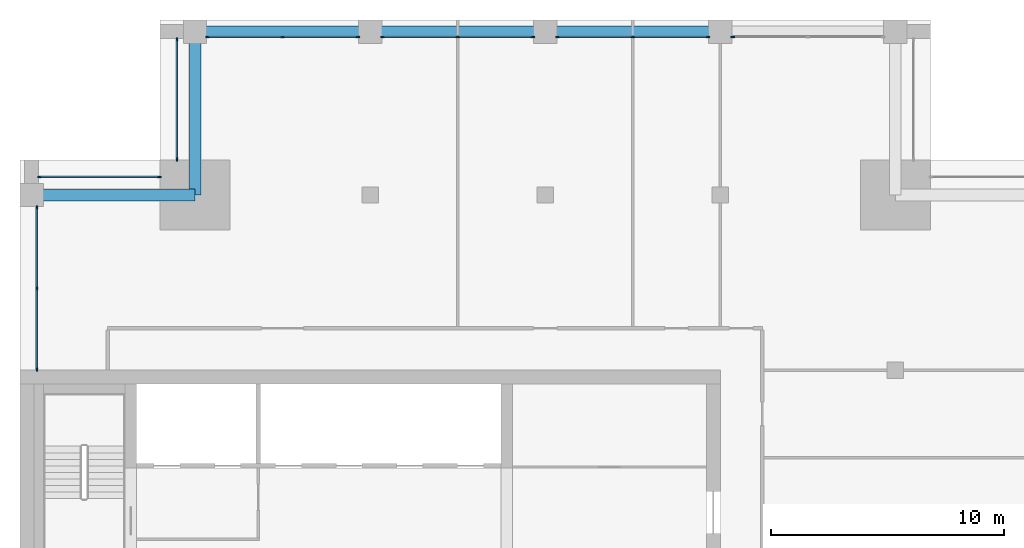
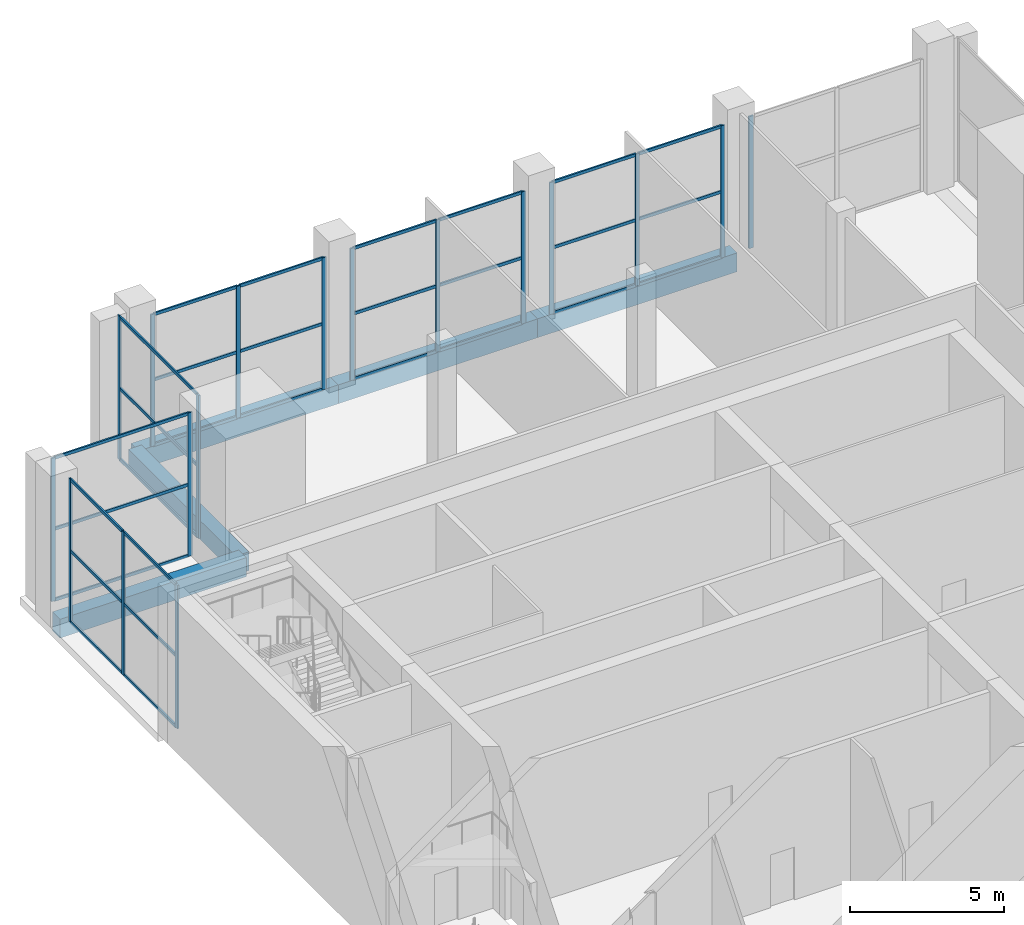
# One storey, part 5 of 15: 47 members, 5 beams, 7 elements without a shape of their own.
"""IFC4 building model written with IfcOpenShell, lengths in metres."""

from ifc_helpers import new_model, si_unit, direction, frame, origin, origin_2d, place, context, subcontext, project, spatial, rectangle, extrude, material, layer, layer_set, material_profile, profile_set, type_object, element, aggregate, save


model = new_model("IFC4")

# Units and contexts
model_context = context("Model", 3, precision=1e-05, world=origin(), true_north=direction((0.0, 1.0)))
body_context = subcontext(model_context, "Body", "Model", "MODEL_VIEW")
ifc_project = project(units=[si_unit("LENGTHUNIT", "METRE"), si_unit("AREAUNIT", "SQUARE_METRE"), si_unit("VOLUMEUNIT", "CUBIC_METRE"), si_unit("PLANEANGLEUNIT", "RADIAN"), si_unit("MASSUNIT", "GRAM", prefix="KILO")], contexts=[model_context])

# Site, building, storey
site_placement = place(None, origin())
site = spatial("IfcSite", under=ifc_project, at=site_placement, CompositionType="ELEMENT")
building_placement = place(site_placement, origin())
building = spatial("IfcBuilding", under=site, at=building_placement, Name="Tamorin Gate", CompositionType="ELEMENT")
storey_placement = place(building_placement, frame((0.0, 0.0, 302.699951171875)))
storey = spatial("IfcBuildingStorey", under=building, at=storey_placement, Name="L75", CompositionType="ELEMENT", Elevation=302.699951171875)

# Curtain wall, member
ifc_material_1 = material(Name="Aluminium mullions and transoms with clear glass", Category="aluminium")
ifc_layer = layer(ifc_material_1, 0.159912109375)
ifc_layer_set = layer_set([ifc_layer], Name="Curtain wall system CW4")
curtain_wall_type = type_object("IfcCurtainWallType", Name="Curtain wall system CW4", PredefinedType="NOTDEFINED", material=ifc_layer_set)
curtain_wall_1_placement = place(storey_placement, origin())
curtain_wall_1 = element("IfcCurtainWall", 1, at=curtain_wall_1_placement, inside=storey, type_object=curtain_wall_type, Name="Curtain wall", PredefinedType="NOTDEFINED")
ifc_material_2 = material(Name="Aluminium", Category="aluminium")
ifc_material_profile_1 = material_profile(ifc_material_2, rectangle(XDim=0.06005859375, YDim=0.159912109375, at=origin_2d()), Name="RECT 60x160")
ifc_profile_set_1 = profile_set([ifc_material_profile_1], Name="Aluminium")
member_type_1 = type_object("IfcMemberType", Name="Aluminium mullion 60x160", PredefinedType="MULLION", material=ifc_profile_set_1)
member_1_placement = place(storey_placement, frame((60.530029296875, 96.780029296875, 0.0), z_axis=(0.0, 0.0, 1.0), x_axis=(0.0, -1.0, 0.0)))
member_1 = element("IfcMember", 2, at=member_1_placement, type_object=member_type_1, Name="CW4 mullion 3", PredefinedType="MULLION", context=body_context, shape_type="SweptSolid", body=[
    extrude(rectangle(XDim=0.06005859375, YDim=0.159912109375, at=origin_2d()), origin(), (0.0, 0.0, 1.0), 5.25),
])
aggregate(curtain_wall_1, [member_1])

# Curtain wall, members
curtain_wall_2_placement = place(storey_placement, origin())
curtain_wall_2 = element("IfcCurtainWall", 3, at=curtain_wall_2_placement, inside=storey, type_object=curtain_wall_type, Name="Curtain wall", PredefinedType="NOTDEFINED")
member_2_placement = place(storey_placement, frame((59.469970703125, 96.780029296875, 0.0), z_axis=(0.0, 0.0, 1.0), x_axis=(0.0, -1.0, 0.0)))
member_2 = element("IfcMember", 4, at=member_2_placement, type_object=member_type_1, Name="CW4 mullion 1", PredefinedType="MULLION", context=body_context, shape_type="SweptSolid", body=[
    extrude(rectangle(XDim=0.06005859375, YDim=0.159912109375, at=origin_2d()), origin(), (0.0, 0.0, 1.0), 5.25),
])
member_3_placement = place(storey_placement, frame((56.25, 96.780029296875, 0.0), z_axis=(0.0, 0.0, 1.0), x_axis=(0.0, -1.0, 0.0)))
member_3 = element("IfcMember", 5, at=member_3_placement, type_object=member_type_1, Name="CW4 mullion 2", PredefinedType="MULLION", context=body_context, shape_type="SweptSolid", body=[
    extrude(rectangle(XDim=0.06005859375, YDim=0.159912109375, at=origin_2d()), origin(), (0.0, 0.0, 1.0), 5.25),
])
member_4_placement = place(storey_placement, frame((53.030029296875, 96.780029296875, 0.0), z_axis=(0.0, 0.0, 1.0), x_axis=(0.0, -1.0, 0.0)))
member_4 = element("IfcMember", 6, at=member_4_placement, type_object=member_type_1, Name="CW4 mullion 3", PredefinedType="MULLION", context=body_context, shape_type="SweptSolid", body=[
    extrude(rectangle(XDim=0.06005859375, YDim=0.159912109375, at=origin_2d()), origin(), (0.0, 0.0, 1.0), 5.25),
])

curtain_wall_3_placement = place(storey_placement, origin())
curtain_wall_3 = element("IfcCurtainWall", 7, at=curtain_wall_3_placement, inside=storey, type_object=curtain_wall_type, Name="Curtain wall", PredefinedType="NOTDEFINED")
member_5_placement = place(storey_placement, frame((51.969970703125, 96.780029296875, 0.0), z_axis=(0.0, 0.0, 1.0), x_axis=(0.0, -1.0, 0.0)))
member_5 = element("IfcMember", 8, at=member_5_placement, type_object=member_type_1, Name="CW4 mullion 1", PredefinedType="MULLION", context=body_context, shape_type="SweptSolid", body=[
    extrude(rectangle(XDim=0.06005859375, YDim=0.159912109375, at=origin_2d()), origin(), (0.0, 0.0, 1.0), 5.25),
])
member_6_placement = place(storey_placement, frame((48.75, 96.780029296875, 0.0), z_axis=(0.0, 0.0, 1.0), x_axis=(0.0, -1.0, 0.0)))
member_6 = element("IfcMember", 9, at=member_6_placement, type_object=member_type_1, Name="CW4 mullion 2", PredefinedType="MULLION", context=body_context, shape_type="SweptSolid", body=[
    extrude(rectangle(XDim=0.06005859375, YDim=0.159912109375, at=origin_2d()), origin(), (0.0, 0.0, 1.0), 5.25),
])
member_7_placement = place(storey_placement, frame((45.530029296875, 96.780029296875, 0.0), z_axis=(0.0, 0.0, 1.0), x_axis=(0.0, -1.0, 0.0)))
member_7 = element("IfcMember", 10, at=member_7_placement, type_object=member_type_1, Name="CW4 mullion 3", PredefinedType="MULLION", context=body_context, shape_type="SweptSolid", body=[
    extrude(rectangle(XDim=0.06005859375, YDim=0.159912109375, at=origin_2d()), origin(), (0.0, 0.0, 1.0), 5.25),
])

curtain_wall_4_placement = place(storey_placement, origin())
curtain_wall_4 = element("IfcCurtainWall", 11, at=curtain_wall_4_placement, inside=storey, type_object=curtain_wall_type, Name="Curtain wall", PredefinedType="NOTDEFINED")
member_8_placement = place(storey_placement, frame((44.469970703125, 96.780029296875, 0.0), z_axis=(0.0, 0.0, 1.0), x_axis=(0.0, -1.0, 0.0)))
member_8 = element("IfcMember", 12, at=member_8_placement, type_object=member_type_1, Name="CW4 mullion 1", PredefinedType="MULLION", context=body_context, shape_type="SweptSolid", body=[
    extrude(rectangle(XDim=0.06005859375, YDim=0.159912109375, at=origin_2d()), origin(), (0.0, 0.0, 1.0), 5.25),
])
member_9_placement = place(storey_placement, frame((41.25, 96.780029296875, 0.0), z_axis=(0.0, 0.0, 1.0), x_axis=(0.0, -1.0, 0.0)))
member_9 = element("IfcMember", 13, at=member_9_placement, type_object=member_type_1, Name="CW4 mullion 2", PredefinedType="MULLION", context=body_context, shape_type="SweptSolid", body=[
    extrude(rectangle(XDim=0.06005859375, YDim=0.159912109375, at=origin_2d()), origin(), (0.0, 0.0, 1.0), 5.25),
])
member_10_placement = place(storey_placement, frame((38.030029296875, 96.780029296875, 0.0), z_axis=(0.0, 0.0, 1.0), x_axis=(0.0, -1.0, 0.0)))
member_10 = element("IfcMember", 14, at=member_10_placement, type_object=member_type_1, Name="CW4 mullion 3", PredefinedType="MULLION", context=body_context, shape_type="SweptSolid", body=[
    extrude(rectangle(XDim=0.06005859375, YDim=0.159912109375, at=origin_2d()), origin(), (0.0, 0.0, 1.0), 5.25),
])

curtain_wall_5_placement = place(storey_placement, origin())
curtain_wall_5 = element("IfcCurtainWall", 15, at=curtain_wall_5_placement, inside=storey, type_object=curtain_wall_type, Name="Curtain wall", PredefinedType="NOTDEFINED")
member_11_placement = place(storey_placement, frame((36.719970703125, 96.669921875, 0.0), z_axis=(0.0, 0.0, 1.0), x_axis=(1.0, 0.0, 0.0)))
member_11 = element("IfcMember", 16, at=member_11_placement, type_object=member_type_1, Name="CW4 mullion 1", PredefinedType="MULLION", context=body_context, shape_type="SweptSolid", body=[
    extrude(rectangle(XDim=0.06005859375, YDim=0.159912109375, at=origin_2d()), origin(), (0.0, 0.0, 1.0), 5.699951171875),
])
member_12_placement = place(storey_placement, frame((36.719970703125, 91.530029296875, 0.0), z_axis=(0.0, 0.0, 1.0), x_axis=(1.0, 0.0, 0.0)))
member_12 = element("IfcMember", 17, at=member_12_placement, type_object=member_type_1, Name="CW4 mullion 2", PredefinedType="MULLION", context=body_context, shape_type="SweptSolid", body=[
    extrude(rectangle(XDim=0.06005859375, YDim=0.159912109375, at=origin_2d()), origin(), (0.0, 0.0, 1.0), 5.699951171875),
])

curtain_wall_6_placement = place(storey_placement, origin())
curtain_wall_6 = element("IfcCurtainWall", 18, at=curtain_wall_6_placement, inside=storey, type_object=curtain_wall_type, Name="Curtain wall", PredefinedType="NOTDEFINED")
member_13_placement = place(storey_placement, frame((35.969970703125, 90.780029296875, 0.0), z_axis=(0.0, 0.0, 1.0), x_axis=(0.0, -1.0, 0.0)))
member_13 = element("IfcMember", 19, at=member_13_placement, type_object=member_type_1, Name="CW4 mullion 1", PredefinedType="MULLION", context=body_context, shape_type="SweptSolid", body=[
    extrude(rectangle(XDim=0.06005859375, YDim=0.159912109375, at=origin_2d()), origin(), (0.0, 0.0, 1.0), 5.699951171875),
])
member_14_placement = place(storey_placement, frame((30.830078125, 90.780029296875, 0.0), z_axis=(0.0, 0.0, 1.0), x_axis=(0.0, -1.0, 0.0)))
member_14 = element("IfcMember", 20, at=member_14_placement, type_object=member_type_1, Name="CW4 mullion 2", PredefinedType="MULLION", context=body_context, shape_type="SweptSolid", body=[
    extrude(rectangle(XDim=0.06005859375, YDim=0.159912109375, at=origin_2d()), origin(), (0.0, 0.0, 1.0), 5.699951171875),
])

curtain_wall_7_placement = place(storey_placement, origin())
curtain_wall_7 = element("IfcCurtainWall", 21, at=curtain_wall_7_placement, inside=storey, type_object=curtain_wall_type, Name="Curtain wall", PredefinedType="NOTDEFINED")
member_15_placement = place(storey_placement, frame((30.719970703125, 89.469970703125, 0.0), z_axis=(0.0, 0.0, 1.0), x_axis=(1.0, 0.0, 0.0)))
member_15 = element("IfcMember", 22, at=member_15_placement, type_object=member_type_1, Name="CW4 mullion 1", PredefinedType="MULLION", context=body_context, shape_type="SweptSolid", body=[
    extrude(rectangle(XDim=0.06005859375, YDim=0.159912109375, at=origin_2d()), origin(), (0.0, 0.0, 1.0), 5.699951171875),
])
member_16_placement = place(storey_placement, frame((30.719970703125, 86.0, 0.0), z_axis=(0.0, 0.0, 1.0), x_axis=(1.0, 0.0, 0.0)))
member_16 = element("IfcMember", 23, at=member_16_placement, type_object=member_type_1, Name="CW4 mullion 2", PredefinedType="MULLION", context=body_context, shape_type="SweptSolid", body=[
    extrude(rectangle(XDim=0.06005859375, YDim=0.159912109375, at=origin_2d()), origin(), (0.0, 0.0, 1.0), 5.699951171875),
])
member_17_placement = place(storey_placement, frame((30.719970703125, 82.530029296875, 0.0), z_axis=(0.0, 0.0, 1.0), x_axis=(1.0, 0.0, 0.0)))
member_17 = element("IfcMember", 24, at=member_17_placement, type_object=member_type_1, Name="CW4 mullion 3", PredefinedType="MULLION", context=body_context, shape_type="SweptSolid", body=[
    extrude(rectangle(XDim=0.06005859375, YDim=0.159912109375, at=origin_2d()), origin(), (0.0, 0.0, 1.0), 5.699951171875),
])

# Member
ifc_material_profile_2 = material_profile(ifc_material_2, rectangle(XDim=0.06005859375, YDim=0.1201171875, at=origin_2d()), Name="RECT 60x120")
ifc_profile_set_2 = profile_set([ifc_material_profile_2], Name="Aluminium")
member_type_2 = type_object("IfcMemberType", Name="Aluminium transom 60x120", PredefinedType="USERDEFINED", material=ifc_profile_set_2)
member_18_placement = place(storey_placement, frame((59.43994140625, 96.780029296875, 0.030029296875), z_axis=(-1.0, 0.0, 0.0), x_axis=(0.0, -1.0, 0.0)))
member_18 = element("IfcMember", 25, at=member_18_placement, type_object=member_type_2, Name="CW4 transom 1.1", ObjectType="TRANSOM", PredefinedType="USERDEFINED", context=body_context, shape_type="SweptSolid", body=[
    extrude(rectangle(XDim=0.06005859375, YDim=0.1201171875, at=origin_2d()), origin(), (0.0, 0.0, 1.0), 3.159912109375),
])

member_19_placement = place(storey_placement, frame((59.43994140625, 96.780029296875, 2.625), z_axis=(-1.0, 0.0, 0.0), x_axis=(0.0, -1.0, 0.0)))
member_19 = element("IfcMember", 26, at=member_19_placement, type_object=member_type_2, Name="CW4 transom 1.2", ObjectType="TRANSOM", PredefinedType="USERDEFINED", context=body_context, shape_type="SweptSolid", body=[
    extrude(rectangle(XDim=0.06005859375, YDim=0.1201171875, at=origin_2d()), origin(), (0.0, 0.0, 1.0), 3.159912109375),
])

member_20_placement = place(storey_placement, frame((59.43994140625, 96.780029296875, 5.219970703125), z_axis=(-1.0, 0.0, 0.0), x_axis=(0.0, -1.0, 0.0)))
member_20 = element("IfcMember", 27, at=member_20_placement, type_object=member_type_2, Name="CW4 transom 1.3", ObjectType="TRANSOM", PredefinedType="USERDEFINED", context=body_context, shape_type="SweptSolid", body=[
    extrude(rectangle(XDim=0.06005859375, YDim=0.1201171875, at=origin_2d()), origin(), (0.0, 0.0, 1.0), 3.159912109375),
])

member_21_placement = place(storey_placement, frame((56.219970703125, 96.780029296875, 0.030029296875), z_axis=(-1.0, 0.0, 0.0), x_axis=(0.0, -1.0, 0.0)))
member_21 = element("IfcMember", 28, at=member_21_placement, type_object=member_type_2, Name="CW4 transom 2.1", ObjectType="TRANSOM", PredefinedType="USERDEFINED", context=body_context, shape_type="SweptSolid", body=[
    extrude(rectangle(XDim=0.06005859375, YDim=0.1201171875, at=origin_2d()), origin(), (0.0, 0.0, 1.0), 3.159912109375),
])

member_22_placement = place(storey_placement, frame((56.219970703125, 96.780029296875, 2.625), z_axis=(-1.0, 0.0, 0.0), x_axis=(0.0, -1.0, 0.0)))
member_22 = element("IfcMember", 29, at=member_22_placement, type_object=member_type_2, Name="CW4 transom 2.2", ObjectType="TRANSOM", PredefinedType="USERDEFINED", context=body_context, shape_type="SweptSolid", body=[
    extrude(rectangle(XDim=0.06005859375, YDim=0.1201171875, at=origin_2d()), origin(), (0.0, 0.0, 1.0), 3.159912109375),
])

member_23_placement = place(storey_placement, frame((56.219970703125, 96.780029296875, 5.219970703125), z_axis=(-1.0, 0.0, 0.0), x_axis=(0.0, -1.0, 0.0)))
member_23 = element("IfcMember", 30, at=member_23_placement, type_object=member_type_2, Name="CW4 transom 2.3", ObjectType="TRANSOM", PredefinedType="USERDEFINED", context=body_context, shape_type="SweptSolid", body=[
    extrude(rectangle(XDim=0.06005859375, YDim=0.1201171875, at=origin_2d()), origin(), (0.0, 0.0, 1.0), 3.159912109375),
])

aggregate(curtain_wall_2, [member_2, member_3, member_4, member_18, member_19, member_20, member_21, member_22, member_23])

member_24_placement = place(storey_placement, frame((51.93994140625, 96.780029296875, 0.030029296875), z_axis=(-1.0, 0.0, 0.0), x_axis=(0.0, -1.0, 0.0)))
member_24 = element("IfcMember", 31, at=member_24_placement, type_object=member_type_2, Name="CW4 transom 1.1", ObjectType="TRANSOM", PredefinedType="USERDEFINED", context=body_context, shape_type="SweptSolid", body=[
    extrude(rectangle(XDim=0.06005859375, YDim=0.1201171875, at=origin_2d()), origin(), (0.0, 0.0, 1.0), 3.159912109375),
])

member_25_placement = place(storey_placement, frame((51.93994140625, 96.780029296875, 2.625), z_axis=(-1.0, 0.0, 0.0), x_axis=(0.0, -1.0, 0.0)))
member_25 = element("IfcMember", 32, at=member_25_placement, type_object=member_type_2, Name="CW4 transom 1.2", ObjectType="TRANSOM", PredefinedType="USERDEFINED", context=body_context, shape_type="SweptSolid", body=[
    extrude(rectangle(XDim=0.06005859375, YDim=0.1201171875, at=origin_2d()), origin(), (0.0, 0.0, 1.0), 3.159912109375),
])

member_26_placement = place(storey_placement, frame((51.93994140625, 96.780029296875, 5.219970703125), z_axis=(-1.0, 0.0, 0.0), x_axis=(0.0, -1.0, 0.0)))
member_26 = element("IfcMember", 33, at=member_26_placement, type_object=member_type_2, Name="CW4 transom 1.3", ObjectType="TRANSOM", PredefinedType="USERDEFINED", context=body_context, shape_type="SweptSolid", body=[
    extrude(rectangle(XDim=0.06005859375, YDim=0.1201171875, at=origin_2d()), origin(), (0.0, 0.0, 1.0), 3.159912109375),
])

member_27_placement = place(storey_placement, frame((48.719970703125, 96.780029296875, 0.030029296875), z_axis=(-1.0, 0.0, 0.0), x_axis=(0.0, -1.0, 0.0)))
member_27 = element("IfcMember", 34, at=member_27_placement, type_object=member_type_2, Name="CW4 transom 2.1", ObjectType="TRANSOM", PredefinedType="USERDEFINED", context=body_context, shape_type="SweptSolid", body=[
    extrude(rectangle(XDim=0.06005859375, YDim=0.1201171875, at=origin_2d()), origin(), (0.0, 0.0, 1.0), 3.159912109375),
])

member_28_placement = place(storey_placement, frame((48.719970703125, 96.780029296875, 2.625), z_axis=(-1.0, 0.0, 0.0), x_axis=(0.0, -1.0, 0.0)))
member_28 = element("IfcMember", 35, at=member_28_placement, type_object=member_type_2, Name="CW4 transom 2.2", ObjectType="TRANSOM", PredefinedType="USERDEFINED", context=body_context, shape_type="SweptSolid", body=[
    extrude(rectangle(XDim=0.06005859375, YDim=0.1201171875, at=origin_2d()), origin(), (0.0, 0.0, 1.0), 3.159912109375),
])

member_29_placement = place(storey_placement, frame((48.719970703125, 96.780029296875, 5.219970703125), z_axis=(-1.0, 0.0, 0.0), x_axis=(0.0, -1.0, 0.0)))
member_29 = element("IfcMember", 36, at=member_29_placement, type_object=member_type_2, Name="CW4 transom 2.3", ObjectType="TRANSOM", PredefinedType="USERDEFINED", context=body_context, shape_type="SweptSolid", body=[
    extrude(rectangle(XDim=0.06005859375, YDim=0.1201171875, at=origin_2d()), origin(), (0.0, 0.0, 1.0), 3.159912109375),
])

aggregate(curtain_wall_3, [member_5, member_6, member_7, member_24, member_25, member_26, member_27, member_28, member_29])

member_30_placement = place(storey_placement, frame((44.43994140625, 96.780029296875, 0.030029296875), z_axis=(-1.0, 0.0, 0.0), x_axis=(0.0, -1.0, 0.0)))
member_30 = element("IfcMember", 37, at=member_30_placement, type_object=member_type_2, Name="CW4 transom 1.1", ObjectType="TRANSOM", PredefinedType="USERDEFINED", context=body_context, shape_type="SweptSolid", body=[
    extrude(rectangle(XDim=0.06005859375, YDim=0.1201171875, at=origin_2d()), origin(), (0.0, 0.0, 1.0), 3.159912109375),
])

member_31_placement = place(storey_placement, frame((44.43994140625, 96.780029296875, 2.625), z_axis=(-1.0, 0.0, 0.0), x_axis=(0.0, -1.0, 0.0)))
member_31 = element("IfcMember", 38, at=member_31_placement, type_object=member_type_2, Name="CW4 transom 1.2", ObjectType="TRANSOM", PredefinedType="USERDEFINED", context=body_context, shape_type="SweptSolid", body=[
    extrude(rectangle(XDim=0.06005859375, YDim=0.1201171875, at=origin_2d()), origin(), (0.0, 0.0, 1.0), 3.159912109375),
])

member_32_placement = place(storey_placement, frame((44.43994140625, 96.780029296875, 5.219970703125), z_axis=(-1.0, 0.0, 0.0), x_axis=(0.0, -1.0, 0.0)))
member_32 = element("IfcMember", 39, at=member_32_placement, type_object=member_type_2, Name="CW4 transom 1.3", ObjectType="TRANSOM", PredefinedType="USERDEFINED", context=body_context, shape_type="SweptSolid", body=[
    extrude(rectangle(XDim=0.06005859375, YDim=0.1201171875, at=origin_2d()), origin(), (0.0, 0.0, 1.0), 3.159912109375),
])

member_33_placement = place(storey_placement, frame((41.219970703125, 96.780029296875, 0.030029296875), z_axis=(-1.0, 0.0, 0.0), x_axis=(0.0, -1.0, 0.0)))
member_33 = element("IfcMember", 40, at=member_33_placement, type_object=member_type_2, Name="CW4 transom 2.1", ObjectType="TRANSOM", PredefinedType="USERDEFINED", context=body_context, shape_type="SweptSolid", body=[
    extrude(rectangle(XDim=0.06005859375, YDim=0.1201171875, at=origin_2d()), origin(), (0.0, 0.0, 1.0), 3.159912109375),
])

member_34_placement = place(storey_placement, frame((41.219970703125, 96.780029296875, 2.625), z_axis=(-1.0, 0.0, 0.0), x_axis=(0.0, -1.0, 0.0)))
member_34 = element("IfcMember", 41, at=member_34_placement, type_object=member_type_2, Name="CW4 transom 2.2", ObjectType="TRANSOM", PredefinedType="USERDEFINED", context=body_context, shape_type="SweptSolid", body=[
    extrude(rectangle(XDim=0.06005859375, YDim=0.1201171875, at=origin_2d()), origin(), (0.0, 0.0, 1.0), 3.159912109375),
])

member_35_placement = place(storey_placement, frame((41.219970703125, 96.780029296875, 5.219970703125), z_axis=(-1.0, 0.0, 0.0), x_axis=(0.0, -1.0, 0.0)))
member_35 = element("IfcMember", 42, at=member_35_placement, type_object=member_type_2, Name="CW4 transom 2.3", ObjectType="TRANSOM", PredefinedType="USERDEFINED", context=body_context, shape_type="SweptSolid", body=[
    extrude(rectangle(XDim=0.06005859375, YDim=0.1201171875, at=origin_2d()), origin(), (0.0, 0.0, 1.0), 3.159912109375),
])

aggregate(curtain_wall_4, [member_8, member_9, member_10, member_30, member_31, member_32, member_33, member_34, member_35])

member_36_placement = place(storey_placement, frame((36.719970703125, 96.639892578125, 0.030029296875), z_axis=(0.0, -1.0, 0.0), x_axis=(1.0, 0.0, 0.0)))
member_36 = element("IfcMember", 43, at=member_36_placement, type_object=member_type_2, Name="CW4 transom 1.1", ObjectType="TRANSOM", PredefinedType="USERDEFINED", context=body_context, shape_type="SweptSolid", body=[
    extrude(rectangle(XDim=0.06005859375, YDim=0.1201171875, at=origin_2d()), origin(), (0.0, 0.0, 1.0), 5.079833984375),
])

member_37_placement = place(storey_placement, frame((36.719970703125, 96.639892578125, 2.85009765625), z_axis=(0.0, -1.0, 0.0), x_axis=(1.0, 0.0, 0.0)))
member_37 = element("IfcMember", 44, at=member_37_placement, type_object=member_type_2, Name="CW4 transom 1.2", ObjectType="TRANSOM", PredefinedType="USERDEFINED", context=body_context, shape_type="SweptSolid", body=[
    extrude(rectangle(XDim=0.06005859375, YDim=0.1201171875, at=origin_2d()), origin(), (0.0, 0.0, 1.0), 5.079833984375),
])

member_38_placement = place(storey_placement, frame((36.719970703125, 96.639892578125, 5.670166015625), z_axis=(0.0, -1.0, 0.0), x_axis=(1.0, 0.0, 0.0)))
member_38 = element("IfcMember", 45, at=member_38_placement, type_object=member_type_2, Name="CW4 transom 1.3", ObjectType="TRANSOM", PredefinedType="USERDEFINED", context=body_context, shape_type="SweptSolid", body=[
    extrude(rectangle(XDim=0.06005859375, YDim=0.1201171875, at=origin_2d()), origin(), (0.0, 0.0, 1.0), 5.079833984375),
])

aggregate(curtain_wall_5, [member_11, member_12, member_36, member_37, member_38])

member_39_placement = place(storey_placement, frame((35.93994140625, 90.780029296875, 0.030029296875), z_axis=(-1.0, 0.0, 0.0), x_axis=(0.0, -1.0, 0.0)))
member_39 = element("IfcMember", 46, at=member_39_placement, type_object=member_type_2, Name="CW4 transom 1.1", ObjectType="TRANSOM", PredefinedType="USERDEFINED", context=body_context, shape_type="SweptSolid", body=[
    extrude(rectangle(XDim=0.06005859375, YDim=0.1201171875, at=origin_2d()), origin(), (0.0, 0.0, 1.0), 5.079833984375),
])

member_40_placement = place(storey_placement, frame((35.93994140625, 90.780029296875, 2.85009765625), z_axis=(-1.0, 0.0, 0.0), x_axis=(0.0, -1.0, 0.0)))
member_40 = element("IfcMember", 47, at=member_40_placement, type_object=member_type_2, Name="CW4 transom 1.2", ObjectType="TRANSOM", PredefinedType="USERDEFINED", context=body_context, shape_type="SweptSolid", body=[
    extrude(rectangle(XDim=0.06005859375, YDim=0.1201171875, at=origin_2d()), origin(), (0.0, 0.0, 1.0), 5.079833984375),
])

member_41_placement = place(storey_placement, frame((35.93994140625, 90.780029296875, 5.670166015625), z_axis=(-1.0, 0.0, 0.0), x_axis=(0.0, -1.0, 0.0)))
member_41 = element("IfcMember", 48, at=member_41_placement, type_object=member_type_2, Name="CW4 transom 1.3", ObjectType="TRANSOM", PredefinedType="USERDEFINED", context=body_context, shape_type="SweptSolid", body=[
    extrude(rectangle(XDim=0.06005859375, YDim=0.1201171875, at=origin_2d()), origin(), (0.0, 0.0, 1.0), 5.079833984375),
])

aggregate(curtain_wall_6, [member_13, member_14, member_39, member_40, member_41])

member_42_placement = place(storey_placement, frame((30.719970703125, 89.43994140625, 0.030029296875), z_axis=(0.0, -1.0, 0.0), x_axis=(1.0, 0.0, 0.0)))
member_42 = element("IfcMember", 49, at=member_42_placement, type_object=member_type_2, Name="CW4 transom 1.1", ObjectType="TRANSOM", PredefinedType="USERDEFINED", context=body_context, shape_type="SweptSolid", body=[
    extrude(rectangle(XDim=0.06005859375, YDim=0.1201171875, at=origin_2d()), origin(), (0.0, 0.0, 1.0), 3.409912109375),
])

member_43_placement = place(storey_placement, frame((30.719970703125, 89.43994140625, 2.85009765625), z_axis=(0.0, -1.0, 0.0), x_axis=(1.0, 0.0, 0.0)))
member_43 = element("IfcMember", 50, at=member_43_placement, type_object=member_type_2, Name="CW4 transom 1.2", ObjectType="TRANSOM", PredefinedType="USERDEFINED", context=body_context, shape_type="SweptSolid", body=[
    extrude(rectangle(XDim=0.06005859375, YDim=0.1201171875, at=origin_2d()), origin(), (0.0, 0.0, 1.0), 3.409912109375),
])

member_44_placement = place(storey_placement, frame((30.719970703125, 89.43994140625, 5.670166015625), z_axis=(0.0, -1.0, 0.0), x_axis=(1.0, 0.0, 0.0)))
member_44 = element("IfcMember", 51, at=member_44_placement, type_object=member_type_2, Name="CW4 transom 1.3", ObjectType="TRANSOM", PredefinedType="USERDEFINED", context=body_context, shape_type="SweptSolid", body=[
    extrude(rectangle(XDim=0.06005859375, YDim=0.1201171875, at=origin_2d()), origin(), (0.0, 0.0, 1.0), 3.409912109375),
])

member_45_placement = place(storey_placement, frame((30.719970703125, 85.969970703125, 0.030029296875), z_axis=(0.0, -1.0, 0.0), x_axis=(1.0, 0.0, 0.0)))
member_45 = element("IfcMember", 52, at=member_45_placement, type_object=member_type_2, Name="CW4 transom 2.1", ObjectType="TRANSOM", PredefinedType="USERDEFINED", context=body_context, shape_type="SweptSolid", body=[
    extrude(rectangle(XDim=0.06005859375, YDim=0.1201171875, at=origin_2d()), origin(), (0.0, 0.0, 1.0), 3.409912109375),
])

member_46_placement = place(storey_placement, frame((30.719970703125, 85.969970703125, 2.85009765625), z_axis=(0.0, -1.0, 0.0), x_axis=(1.0, 0.0, 0.0)))
member_46 = element("IfcMember", 53, at=member_46_placement, type_object=member_type_2, Name="CW4 transom 2.2", ObjectType="TRANSOM", PredefinedType="USERDEFINED", context=body_context, shape_type="SweptSolid", body=[
    extrude(rectangle(XDim=0.06005859375, YDim=0.1201171875, at=origin_2d()), origin(), (0.0, 0.0, 1.0), 3.409912109375),
])

member_47_placement = place(storey_placement, frame((30.719970703125, 85.969970703125, 5.670166015625), z_axis=(0.0, -1.0, 0.0), x_axis=(1.0, 0.0, 0.0)))
member_47 = element("IfcMember", 54, at=member_47_placement, type_object=member_type_2, Name="CW4 transom 2.3", ObjectType="TRANSOM", PredefinedType="USERDEFINED", context=body_context, shape_type="SweptSolid", body=[
    extrude(rectangle(XDim=0.06005859375, YDim=0.1201171875, at=origin_2d()), origin(), (0.0, 0.0, 1.0), 3.409912109375),
])

aggregate(curtain_wall_7, [member_15, member_16, member_17, member_42, member_43, member_44, member_45, member_46, member_47])

# Beams
ifc_material_3 = material(Name="Concrete C50/60", Category="concrete")
ifc_material_profile_3 = material_profile(ifc_material_3, rectangle(XDim=0.5, YDim=0.75, at=origin_2d()), Name="RC 500x750")
ifc_profile_set_3 = profile_set([ifc_material_profile_3], Name="Concrete C50/60")
beam_type = type_object("IfcBeamType", Name="RC spandrel 500x750 C50/60", PredefinedType="BEAM", material=ifc_profile_set_3)
for number, where, z_axis, x_axis, name in (
    (55, (60.0, 97.0, -0.375), (-1.0, 0.0, 0.0), (0.0, -1.0, 0.0), "Spandrel beam L75"),
    (56, (52.5, 97.0, -0.375), (-1.0, 0.0, 0.0), (0.0, -1.0, 0.0), "Spandrel beam L75"),
    (57, (45.0, 97.0, -0.375), (-1.0, 0.0, 0.0), (0.0, -1.0, 0.0), "Spandrel beam L75"),
):
    element("IfcBeam", number, at=place(storey_placement, frame(where, z_axis=z_axis, x_axis=x_axis)), inside=storey, type_object=beam_type, Name=name, PredefinedType="BEAM", context=body_context, shape_type="SweptSolid", body=[
        extrude(rectangle(XDim=0.5, YDim=0.75, at=origin_2d()), origin(), (0.0, 0.0, 1.0), 7.5),
    ])
for number, where, z_axis, x_axis, name in (
    (58, (37.5, 90.0, -0.375), (-1.0, 0.0, 0.0), (0.0, -1.0, 0.0), "Corner tie beam L75"),
    (59, (37.5, 90.0, -0.375), (0.0, 1.0, 0.0), (-1.0, 0.0, 0.0), "Corner tie beam L75"),
):
    element("IfcBeam", number, at=place(storey_placement, frame(where, z_axis=z_axis, x_axis=x_axis)), inside=storey, type_object=beam_type, Name=name, PredefinedType="BEAM", context=body_context, shape_type="SweptSolid", body=[
        extrude(rectangle(XDim=0.5, YDim=0.75, at=origin_2d()), origin(), (0.0, 0.0, 1.0), 7.0),
    ])

save(model, "model.ifc")
